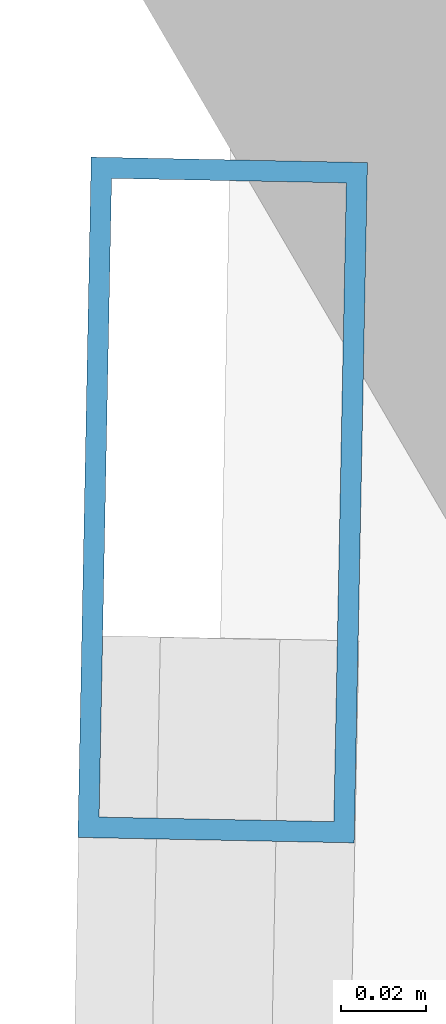
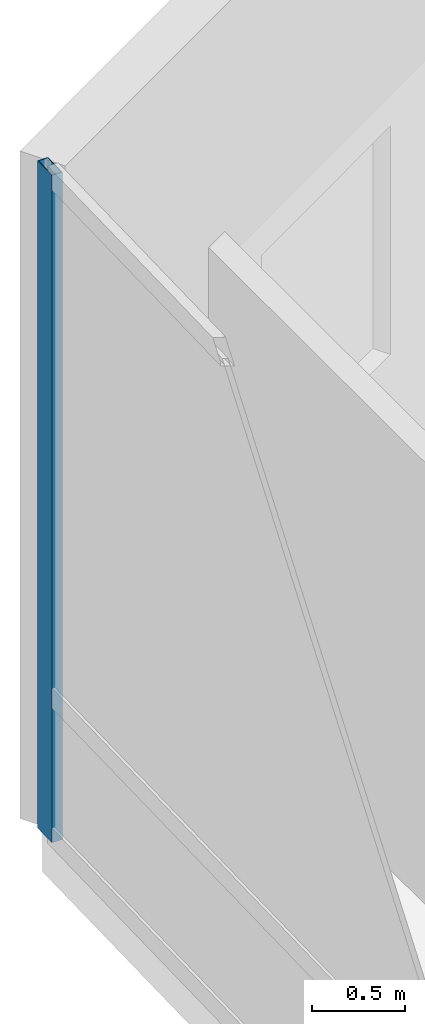
# One storey, part 9 of 22: 1 member, 1 element without a shape of its own.
"""IFC4 building model written with IfcOpenShell, lengths in metres."""

from ifc_helpers import new_model, si_unit, direction, frame, origin, origin_2d, place, context, subcontext, project, spatial, hollow_rectangle, extrude, material, layer, layer_set, material_profile, profile_set, type_object, element, aggregate, save


model = new_model("IFC4")

# Units and contexts
model_context = context("Model", 3, precision=1e-05, world=origin(), true_north=direction((0.0, 1.0)))
body_context = subcontext(model_context, "Body", "Model", "MODEL_VIEW")
ifc_project = project(units=[si_unit("LENGTHUNIT", "METRE"), si_unit("AREAUNIT", "SQUARE_METRE"), si_unit("VOLUMEUNIT", "CUBIC_METRE"), si_unit("PLANEANGLEUNIT", "RADIAN"), si_unit("MASSUNIT", "GRAM", prefix="KILO")], contexts=[model_context])

# Site, building, storey
site_placement = place(None, origin())
site = spatial("IfcSite", under=ifc_project, at=site_placement, CompositionType="ELEMENT")
building_placement = place(site_placement, origin())
building = spatial("IfcBuilding", under=site, at=building_placement, Name="Qianvela Tower", CompositionType="ELEMENT")
storey_placement = place(building_placement, frame((0.0, 0.0, 138.5)))
storey = spatial("IfcBuildingStorey", under=building, at=storey_placement, Name="L35", CompositionType="ELEMENT", Elevation=138.5)

# Curtain wall, member
ifc_material_1 = material(Name="Anodised Architectural Aluminium and Low-E Glass", Category="aluminium")
ifc_layer = layer(ifc_material_1, 0.169921875)
ifc_layer_set = layer_set([ifc_layer], Name="Anodised Architectural Aluminium and Low-E Glass")
curtain_wall_type = type_object("IfcCurtainWallType", Name="CW-COLIV-Z34", PredefinedType="USERDEFINED", material=ifc_layer_set)
curtain_wall_placement = place(storey_placement, origin())
curtain_wall = element("IfcCurtainWall", 1, at=curtain_wall_placement, inside=storey, type_object=curtain_wall_type, Name="L35 CW-COLIV-Z34 Curtain Wall 04A", ObjectType="CURTAIN_WALL_SYSTEM", PredefinedType="USERDEFINED")
ifc_material_2 = material(Name="Anodised Architectural Aluminium 6063-T6", Category="aluminium")
ifc_material_profile = material_profile(ifc_material_2, hollow_rectangle(XDim=0.06494140625, YDim=0.159912109375, WallThickness=0.0048828125, at=origin_2d()), Name="ALU-MULL-65x160")
ifc_profile_set = profile_set([ifc_material_profile], Name="Anodised Architectural Aluminium 6063-T6")
member_type = type_object("IfcMemberType", Name="CW-COLIV-Z34-MULL", PredefinedType="MULLION", material=ifc_profile_set)
member_placement = place(storey_placement, frame((21.741455078125, 38.531982421875, 0.0), z_axis=(0.0, 0.0, 1.0), x_axis=(0.999808935955, -0.019547163079, 0.0)))
member = element("IfcMember", 2, at=member_placement, type_object=member_type, Name="CW-4 mullion 1", PredefinedType="MULLION", context=body_context, shape_type="SweptSolid", body=[
    extrude(hollow_rectangle(XDim=0.06494140625, YDim=0.159912109375, WallThickness=0.0048828125, at=origin_2d()), origin(), (0.0, 0.0, 1.0), 4.3798828125),
])
aggregate(curtain_wall, [member])

save(model, "model.ifc")
